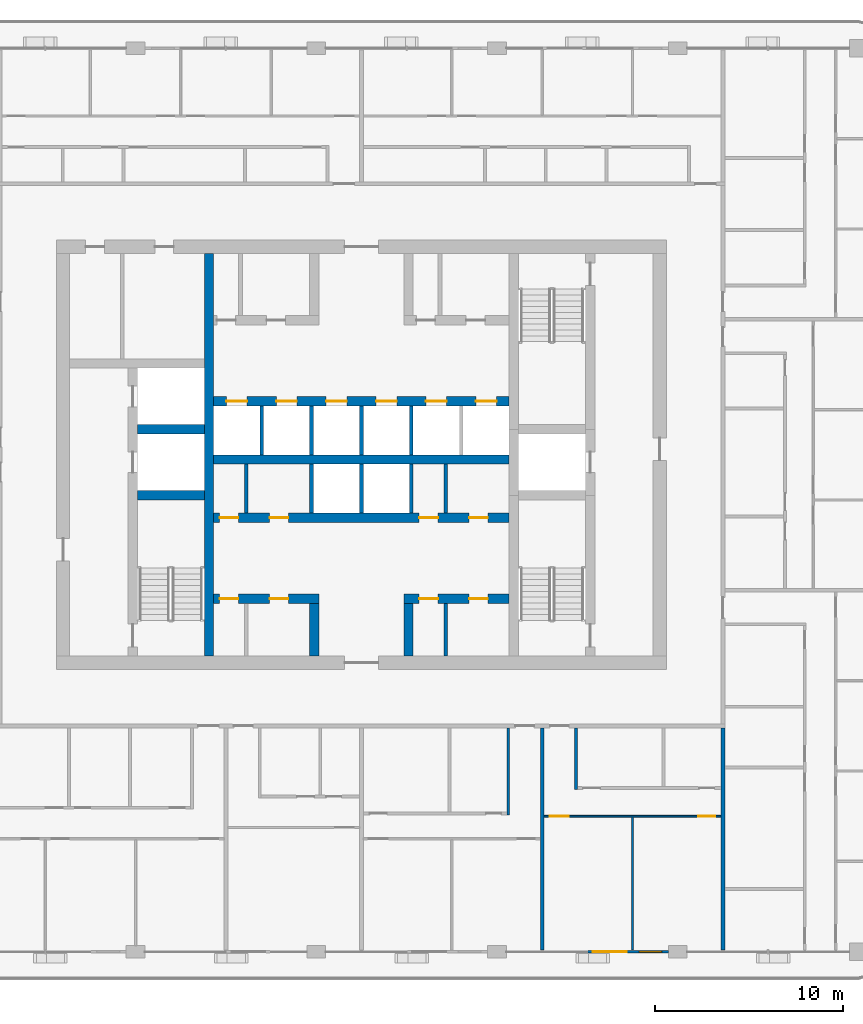
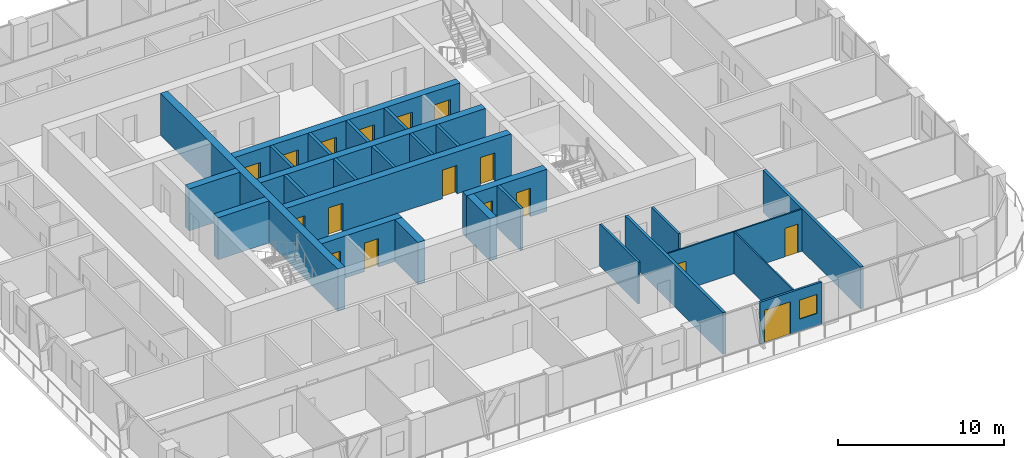
# One storey, part 11 of 22: 27 walls, 17 doors, 1 window, 18 openings.
"""IFC4 building model written with IfcOpenShell, lengths in metres."""

import ifcopenshell
import ifcopenshell.guid

model = None  # the IFC model being written
_history = None  # IfcOwnerHistory: only IFC2X3 demands one
_inside = {}  # id of a spatial element -> (the spatial element, [elements in it])
_under = {}  # id of a project, library or spatial element -> (it, [spatial elements below it])
_declared = {}  # id of a project -> (the project, [libraries it declares])
_typed = {}  # id of a type object -> (the type object, [elements of that type])
_made_of = {}  # id of a material, layer set ... -> (it, [elements and type objects made of it])


def new_model(schema):
    """Start an empty IFC model of exactly this schema.

    Asked for "IFC4X3", IfcOpenShell would pick the latest addendum, in which some entities
    have other attributes; the version numbers below select the first issue.
    IFC2X3 requires an IfcOwnerHistory on every rooted entity: one is made here for all.
    """
    global model, _history
    if schema == "IFC4X3":
        model = ifcopenshell.file(schema_version=(4, 3, 0, 0))
    else:
        model = ifcopenshell.file(schema=schema)
    _inside.clear()
    _under.clear()
    _declared.clear()
    _typed.clear()
    _made_of.clear()
    _history = None
    if model.schema == "IFC2X3":
        org = make("IfcOrganization", Name="unknown")
        user = make(
            "IfcPersonAndOrganization",
            ThePerson=make("IfcPerson", FamilyName="unknown"),
            TheOrganization=org,
        )
        app = make(
            "IfcApplication",
            ApplicationDeveloper=org,
            Version="unknown",
            ApplicationFullName="unknown",
            ApplicationIdentifier="unknown",
        )
        _history = make(
            "IfcOwnerHistory",
            OwningUser=user,
            OwningApplication=app,
            ChangeAction="ADDED",
            CreationDate=0,
        )
    return model


def make(cls, **values):
    """One entity of the class cls with the attributes given. An attribute that is None is left unset."""
    return model.create_entity(
        cls, **{name: value for name, value in values.items() if value is not None}
    )


def rooted(cls, **values):
    """An entity with a GlobalId (a new one), such as an element, a storey or a relation."""
    return make(cls, GlobalId=ifcopenshell.guid.new(), OwnerHistory=_history, **values)


def si_unit(unit_type, name, prefix=None):
    """IfcSIUnit, for example si_unit("LENGTHUNIT", "METRE", prefix="MILLI")."""
    return make("IfcSIUnit", UnitType=unit_type, Prefix=prefix, Name=name)


def assignment(units):
    """IfcUnitAssignment: the units of a project."""
    return None if units is None else make("IfcUnitAssignment", Units=units)


def point(xyz):
    """IfcCartesianPoint."""
    return None if xyz is None else make("IfcCartesianPoint", Coordinates=xyz)


def direction(xyz):
    """IfcDirection."""
    return None if xyz is None else make("IfcDirection", DirectionRatios=xyz)


def frame(location, z_axis=None, x_axis=None):
    """IfcAxis2Placement3D, a coordinate frame: its origin and axes. An axis left out is left unset."""
    return make(
        "IfcAxis2Placement3D",
        Location=point(location),
        Axis=direction(z_axis),
        RefDirection=direction(x_axis),
    )


def frame_2d(location, x_axis=None):
    """IfcAxis2Placement2D, a coordinate frame in the plane: its origin and x axis."""
    return make(
        "IfcAxis2Placement2D", Location=point(location), RefDirection=direction(x_axis)
    )


def origin():
    """The frame at (0, 0, 0) with its axes left unset."""
    return frame((0.0, 0.0, 0.0))


def place(relative_to, where):
    """IfcLocalPlacement: puts the frame where relative to a parent placement (None: the world)."""
    return make(
        "IfcLocalPlacement", PlacementRelTo=relative_to, RelativePlacement=where
    )


def context(
    kind, dimensions, precision=None, world=None, true_north=None, identifier=None
):
    """IfcGeometricRepresentationContext, for example the 3D "Model" context."""
    return make(
        "IfcGeometricRepresentationContext",
        ContextIdentifier=identifier,
        ContextType=kind,
        CoordinateSpaceDimension=dimensions,
        Precision=precision,
        WorldCoordinateSystem=world,
        TrueNorth=true_north,
    )


def subcontext(parent, identifier, kind, view, scale=None):
    """IfcGeometricRepresentationSubContext, for example "Body" below "Model"."""
    return make(
        "IfcGeometricRepresentationSubContext",
        ContextIdentifier=identifier,
        ContextType=kind,
        ParentContext=parent,
        TargetScale=scale,
        TargetView=view,
    )


def project(units=None, contexts=None):
    """IfcProject with its units and contexts."""
    return rooted(
        "IfcProject",
        Name="project",
        RepresentationContexts=contexts,
        UnitsInContext=assignment(units),
    )


def spatial(cls, under=None, at=None, **own):
    """A site, building, storey or space (cls), placed at a placement, below another one or the project."""
    s = rooted(cls, ObjectPlacement=at, **own)
    if under is not None:
        _under.setdefault(under.id(), (under, []))[1].append(s)
    return s


def profile(cls, at=None, kind="AREA", **sizes):
    """A parametric profile (cls). Its sizes go by their IFC names, for example OverallWidth=200.0."""
    return make(cls, ProfileType=kind, Position=at, **sizes)


def rectangle(**sizes):
    """IfcRectangleProfileDef."""
    return profile("IfcRectangleProfileDef", **sizes)


def extrude(swept, where, along, depth):
    """IfcExtrudedAreaSolid: the profile swept, set in the frame where, extruded along a direction by depth."""
    return make(
        "IfcExtrudedAreaSolid",
        SweptArea=swept,
        Position=where,
        ExtrudedDirection=direction(along),
        Depth=depth,
    )


def shape(context_of_items, identifier, shape_type, items):
    """IfcShapeRepresentation: the items that make up one representation, for example the "Body"."""
    return make(
        "IfcShapeRepresentation",
        ContextOfItems=context_of_items,
        RepresentationIdentifier=identifier,
        RepresentationType=shape_type,
        Items=items,
    )


def material(Name=None, Category=None):
    """IfcMaterial."""
    return make("IfcMaterial", Name=Name, Category=Category)


def layer(
    of_material, thickness, ventilated=None, Name=None, Category=None, Priority=None
):
    """IfcMaterialLayer: one layer of a wall or slab, of a material (None: an air gap)."""
    return make(
        "IfcMaterialLayer",
        Material=of_material,
        LayerThickness=thickness,
        IsVentilated=ventilated,
        Name=Name,
        Category=Category,
        Priority=Priority,
    )


def layer_set(layers, Name=None):
    """IfcMaterialLayerSet."""
    return make("IfcMaterialLayerSet", MaterialLayers=layers, LayerSetName=Name)


def made_of(thing, what):
    """Note that an element or type object is made of a material, layer set ...; save() writes the relation."""
    if what is not None:
        _made_of.setdefault(what.id(), (what, []))[1].append(thing)
    return thing


def type_object(cls, material=None, **own):
    """A type object (cls), such as IfcWallType, which elements share."""
    return made_of(rooted(cls, **own), material)


def element(
    cls,
    number,
    at=None,
    inside=None,
    cuts=None,
    type_object=None,
    material=None,
    context=None,
    identifier="Body",
    shape_type=None,
    held_by="IfcProductDefinitionShape",
    body=None,
    shapes=None,
    **own,
):
    """One element of the class cls, such as IfcWall. Its Tag is "e" and its number.

    at: its placement. inside: the storey or other place that contains it. cuts: it is an
    opening in that element (IfcRelVoidsElement). A single representation is given by context,
    identifier, shape_type and body (its items); several are given by shapes. held_by: the class
    of the entity that holds the representations. save() writes the other relations.
    """
    e = rooted(cls, Tag="e%d" % number, ObjectPlacement=at, **own)
    if body is not None:
        shapes = [shape(context, identifier, shape_type, body)]
    if shapes is not None:
        e.Representation = make(held_by, Representations=shapes)
    if inside is not None:
        _inside.setdefault(inside.id(), (inside, []))[1].append(e)
    if cuts is not None:
        rooted(
            "IfcRelVoidsElement", RelatingBuildingElement=cuts, RelatedOpeningElement=e
        )
    if type_object is not None:
        _typed.setdefault(type_object.id(), (type_object, []))[1].append(e)
    return made_of(e, material)


def fill(opening, filler):
    """IfcRelFillsElement: the door or window that sits in an opening."""
    return rooted(
        "IfcRelFillsElement",
        RelatingOpeningElement=opening,
        RelatedBuildingElement=filler,
    )


def aggregate(whole, parts):
    """IfcRelAggregates: a whole, such as a stair, and the parts it consists of."""
    return rooted("IfcRelAggregates", RelatingObject=whole, RelatedObjects=parts)


def save(model, path):
    """Write the relations noted so far, then the file.

    IfcRelAggregates (storeys below a building ...), IfcRelContainedInSpatialStructure (elements
    in a storey), IfcRelDefinesByType, IfcRelAssociatesMaterial and IfcRelDeclares: one each for
    every whole, place, type object, material and project.
    """
    for whole, parts in _under.values():
        aggregate(whole, parts)
    for where, things in _inside.values():
        rooted(
            "IfcRelContainedInSpatialStructure",
            RelatedElements=things,
            RelatingStructure=where,
        )
    for kind, things in _typed.values():
        rooted("IfcRelDefinesByType", RelatedObjects=things, RelatingType=kind)
    for what, things in _made_of.values():
        rooted("IfcRelAssociatesMaterial", RelatedObjects=things, RelatingMaterial=what)
    for by, libraries in _declared.values():
        rooted("IfcRelDeclares", RelatingContext=by, RelatedDefinitions=libraries)
    model.write(path)


model = new_model("IFC4")

# Units and contexts
model_context = context("Model", 3, precision=1e-05, world=origin(), true_north=direction((0.0, 1.0)))
body_context = subcontext(model_context, "Body", "Model", "MODEL_VIEW")
ifc_project = project(units=[si_unit("LENGTHUNIT", "METRE"), si_unit("AREAUNIT", "SQUARE_METRE"), si_unit("VOLUMEUNIT", "CUBIC_METRE"), si_unit("PLANEANGLEUNIT", "RADIAN"), si_unit("MASSUNIT", "GRAM", prefix="KILO")], contexts=[model_context])

# Site, building, storey
site_placement = place(None, origin())
site = spatial("IfcSite", under=ifc_project, at=site_placement, CompositionType="ELEMENT")
building_placement = place(site_placement, origin())
building = spatial("IfcBuilding", under=site, at=building_placement, Name="Madar Terraces", CompositionType="ELEMENT")
storey_placement = place(building_placement, frame((0.0, 0.0, 199.89990234375)))
storey = spatial("IfcBuildingStorey", under=building, at=storey_placement, Name="L52", CompositionType="ELEMENT", Elevation=199.89990234375)

# Walls
ifc_material_1 = material(Name="Concrete C60/75", Category="concrete")
ifc_layer_1 = layer(ifc_material_1, 0.5)
ifc_layer_set_1 = layer_set([ifc_layer_1], Name="Concrete C60/75 (CIW4 RC wall 500)")
wall_type_1 = type_object("IfcWallType", Name="CIW4 RC wall 500", PredefinedType="SHEAR", material=ifc_layer_set_1)
wall_1_placement = place(storey_placement, frame((23.10009765625, 15.699951171875, 0.0), z_axis=(0.0, 0.0, 1.0), x_axis=(0.0, 1.0, 0.0)))
element("IfcWall", 1, at=wall_1_placement, inside=storey, type_object=wall_type_1, Name="CORE SHAFT WALL", PredefinedType="SHEAR", context=body_context, shape_type="SweptSolid", body=[
    extrude(rectangle(XDim=21.400146484375, YDim=0.5, at=frame_2d((10.7001953125, 0.0))), origin(), (0.0, 0.0, 1.0), 3.10009765625),
])
for number, where, z_axis, x_axis, name in (
    (2, (19.300048828125, 24.25, 0.0), (0.0, 0.0, 1.0), (1.0, 0.0, 0.0), "CORE SHAFT WALL"),
    (3, (19.300048828125, 27.75, 0.0), (0.0, 0.0, 1.0), (1.0, 0.0, 0.0), "CORE SHAFT WALL"),
):
    element("IfcWall", number, at=place(storey_placement, frame(where, z_axis=z_axis, x_axis=x_axis)), inside=storey, type_object=wall_type_1, Name=name, PredefinedType="SHEAR", context=body_context, shape_type="SweptSolid", body=[
        extrude(rectangle(XDim=3.550048828125, YDim=0.5, at=frame_2d((1.77490234375, 0.0))), origin(), (0.0, 0.0, 1.0), 3.10009765625),
    ])

# Wall, openings, doors
wall_2_placement = place(storey_placement, frame((23.35009765625, 18.75, 0.0), z_axis=(0.0, 0.0, 1.0), x_axis=(1.0, 0.0, 0.0)))
wall_2 = element("IfcWall", 4, at=wall_2_placement, inside=storey, type_object=wall_type_1, Name="CORE SHAFT WALL", PredefinedType="SHEAR", context=body_context, shape_type="SweptSolid", body=[
    extrude(rectangle(XDim=5.599853515625, YDim=0.5, at=frame_2d((2.7998046875, 0.0))), origin(), (0.0, 0.0, 1.0), 3.10009765625),
])
opening_1_placement = place(wall_2_placement, frame((0.31689453125, 0.0, 0.0)))
opening_1 = element("IfcOpeningElement", 5, at=opening_1_placement, cuts=wall_2, Name="Opening KD2", PredefinedType="OPENING", context=body_context, shape_type="SweptSolid", body=[
    extrude(rectangle(XDim=1.0, YDim=2.10009765625, at=frame_2d((0.5, 1.050048828125))), frame((0.0, 0.260009765625, 0.0), z_axis=(0.0, -1.0, 0.0), x_axis=(1.0, 0.0, 0.0)), (0.0, 0.0, 1.0), 0.52001953125),
])
opening_2_placement = place(wall_2_placement, frame((2.967041015625, 0.0, 0.0)))
opening_2 = element("IfcOpeningElement", 6, at=opening_2_placement, cuts=wall_2, Name="Opening KD2", PredefinedType="OPENING", context=body_context, shape_type="SweptSolid", body=[
    extrude(rectangle(XDim=1.0, YDim=2.10009765625, at=frame_2d((0.5, 1.050048828125))), frame((0.0, 0.260009765625, 0.0), z_axis=(0.0, -1.0, 0.0), x_axis=(1.0, 0.0, 0.0)), (0.0, 0.0, 1.0), 0.52001953125),
])
ifc_material_2 = material(Name="Steel door leaf", Category="steel")
door_type_1 = type_object("IfcDoorType", Name="Service room door 1000 x 2100", OperationType="NOTDEFINED", PredefinedType="DOOR", material=ifc_material_2)
door_1_placement = place(opening_1_placement, origin())
door_1 = element("IfcDoor", 7, at=door_1_placement, inside=storey, type_object=door_type_1, Name="SERVICE ROOM DOOR", OperationType="SINGLE_SWING_LEFT", OverallHeight=2.10009765625, OverallWidth=1.0, PredefinedType="DOOR", context=body_context, shape_type="SweptSolid", body=[
    extrude(rectangle(XDim=1.0, YDim=2.10009765625, at=frame_2d((0.5, 1.050048828125))), frame((0.0, 0.02490234375, 0.0), z_axis=(0.0, -1.0, 0.0), x_axis=(1.0, 0.0, 0.0)), (0.0, 0.0, 1.0), 0.050048828125),
])
fill(opening_1, door_1)
door_2_placement = place(opening_2_placement, origin())
door_2 = element("IfcDoor", 8, at=door_2_placement, inside=storey, type_object=door_type_1, Name="SERVICE ROOM DOOR", OperationType="SINGLE_SWING_RIGHT", OverallHeight=2.10009765625, OverallWidth=1.0, PredefinedType="DOOR", context=body_context, shape_type="SweptSolid", body=[
    extrude(rectangle(XDim=1.0, YDim=2.10009765625, at=frame_2d((0.5, 1.050048828125))), frame((0.0, 0.02490234375, 0.0), z_axis=(0.0, -1.0, 0.0), x_axis=(1.0, 0.0, 0.0)), (0.0, 0.0, 1.0), 0.050048828125),
])
fill(opening_2, door_2)

wall_3_placement = place(storey_placement, frame((33.449951171875, 18.75, 0.0), z_axis=(0.0, 0.0, 1.0), x_axis=(1.0, 0.0, 0.0)))
wall_3 = element("IfcWall", 9, at=wall_3_placement, inside=storey, type_object=wall_type_1, Name="CORE SHAFT WALL", PredefinedType="SHEAR", context=body_context, shape_type="SweptSolid", body=[
    extrude(rectangle(XDim=5.60009765625, YDim=0.5, at=frame_2d((2.800048828125, 0.0))), origin(), (0.0, 0.0, 1.0), 3.10009765625),
])
opening_3_placement = place(wall_3_placement, frame((0.81689453125, 0.0, 0.0)))
opening_3 = element("IfcOpeningElement", 10, at=opening_3_placement, cuts=wall_3, Name="Opening KD2", PredefinedType="OPENING", context=body_context, shape_type="SweptSolid", body=[
    extrude(rectangle(XDim=1.0, YDim=2.10009765625, at=frame_2d((0.5, 1.050048828125))), frame((0.0, 0.260009765625, 0.0), z_axis=(0.0, -1.0, 0.0), x_axis=(1.0, 0.0, 0.0)), (0.0, 0.0, 1.0), 0.52001953125),
])
opening_4_placement = place(wall_3_placement, frame((3.467041015625, 0.0, 0.0)))
opening_4 = element("IfcOpeningElement", 11, at=opening_4_placement, cuts=wall_3, Name="Opening KD2", PredefinedType="OPENING", context=body_context, shape_type="SweptSolid", body=[
    extrude(rectangle(XDim=1.0, YDim=2.10009765625, at=frame_2d((0.5, 1.050048828125))), frame((0.0, 0.260009765625, 0.0), z_axis=(0.0, -1.0, 0.0), x_axis=(1.0, 0.0, 0.0)), (0.0, 0.0, 1.0), 0.52001953125),
])
door_3_placement = place(opening_3_placement, origin())
door_3 = element("IfcDoor", 12, at=door_3_placement, inside=storey, type_object=door_type_1, Name="SERVICE ROOM DOOR", OperationType="SINGLE_SWING_LEFT", OverallHeight=2.10009765625, OverallWidth=1.0, PredefinedType="DOOR", context=body_context, shape_type="SweptSolid", body=[
    extrude(rectangle(XDim=1.0, YDim=2.10009765625, at=frame_2d((0.5, 1.050048828125))), frame((0.0, 0.02490234375, 0.0), z_axis=(0.0, -1.0, 0.0), x_axis=(1.0, 0.0, 0.0)), (0.0, 0.0, 1.0), 0.050048828125),
])
fill(opening_3, door_3)
door_4_placement = place(opening_4_placement, origin())
door_4 = element("IfcDoor", 13, at=door_4_placement, inside=storey, type_object=door_type_1, Name="SERVICE ROOM DOOR", OperationType="SINGLE_SWING_RIGHT", OverallHeight=2.10009765625, OverallWidth=1.0, PredefinedType="DOOR", context=body_context, shape_type="SweptSolid", body=[
    extrude(rectangle(XDim=1.0, YDim=2.10009765625, at=frame_2d((0.5, 1.050048828125))), frame((0.0, 0.02490234375, 0.0), z_axis=(0.0, -1.0, 0.0), x_axis=(1.0, 0.0, 0.0)), (0.0, 0.0, 1.0), 0.050048828125),
])
fill(opening_4, door_4)

wall_4_placement = place(storey_placement, frame((23.35009765625, 23.050048828125, 0.0), z_axis=(0.0, 0.0, 1.0), x_axis=(1.0, 0.0, 0.0)))
wall_4 = element("IfcWall", 14, at=wall_4_placement, inside=storey, type_object=wall_type_1, Name="CORE SHAFT WALL", PredefinedType="SHEAR", context=body_context, shape_type="SweptSolid", body=[
    extrude(rectangle(XDim=15.699951171875, YDim=0.5, at=frame_2d((7.85009765625, 0.0))), origin(), (0.0, 0.0, 1.0), 3.10009765625),
])
opening_5_placement = place(wall_4_placement, frame((0.31689453125, 0.0, 0.0)))
opening_5 = element("IfcOpeningElement", 15, at=opening_5_placement, cuts=wall_4, Name="Opening KD2", PredefinedType="OPENING", context=body_context, shape_type="SweptSolid", body=[
    extrude(rectangle(XDim=1.0, YDim=2.10009765625, at=frame_2d((0.5, 1.050048828125))), frame((0.0, 0.260009765625, 0.0), z_axis=(0.0, -1.0, 0.0), x_axis=(1.0, 0.0, 0.0)), (0.0, 0.0, 1.0), 0.52001953125),
])
opening_6_placement = place(wall_4_placement, frame((2.967041015625, 0.0, 0.0)))
opening_6 = element("IfcOpeningElement", 16, at=opening_6_placement, cuts=wall_4, Name="Opening KD2", PredefinedType="OPENING", context=body_context, shape_type="SweptSolid", body=[
    extrude(rectangle(XDim=1.0, YDim=2.10009765625, at=frame_2d((0.5, 1.050048828125))), frame((0.0, 0.260009765625, 0.0), z_axis=(0.0, -1.0, 0.0), x_axis=(1.0, 0.0, 0.0)), (0.0, 0.0, 1.0), 0.52001953125),
])
opening_7_placement = place(wall_4_placement, frame((10.9169921875, 0.0, 0.0)))
opening_7 = element("IfcOpeningElement", 17, at=opening_7_placement, cuts=wall_4, Name="Opening KD2", PredefinedType="OPENING", context=body_context, shape_type="SweptSolid", body=[
    extrude(rectangle(XDim=1.0, YDim=2.10009765625, at=frame_2d((0.5, 1.050048828125))), frame((0.0, 0.260009765625, 0.0), z_axis=(0.0, -1.0, 0.0), x_axis=(1.0, 0.0, 0.0)), (0.0, 0.0, 1.0), 0.52001953125),
])
opening_8_placement = place(wall_4_placement, frame((13.56689453125, 0.0, 0.0)))
opening_8 = element("IfcOpeningElement", 18, at=opening_8_placement, cuts=wall_4, Name="Opening KD2", PredefinedType="OPENING", context=body_context, shape_type="SweptSolid", body=[
    extrude(rectangle(XDim=1.0, YDim=2.10009765625, at=frame_2d((0.5, 1.050048828125))), frame((0.0, 0.260009765625, 0.0), z_axis=(0.0, -1.0, 0.0), x_axis=(1.0, 0.0, 0.0)), (0.0, 0.0, 1.0), 0.52001953125),
])
door_5_placement = place(opening_5_placement, frame((1.0, 0.0, 0.0), z_axis=(0.0, 0.0, 1.0), x_axis=(-1.0, 0.0, 0.0)))
door_5 = element("IfcDoor", 19, at=door_5_placement, inside=storey, type_object=door_type_1, Name="SERVICE ROOM DOOR", OperationType="SINGLE_SWING_LEFT", OverallHeight=2.10009765625, OverallWidth=1.0, PredefinedType="DOOR", context=body_context, shape_type="SweptSolid", body=[
    extrude(rectangle(XDim=1.0, YDim=2.10009765625, at=frame_2d((0.5, 1.050048828125))), frame((0.0, 0.02490234375, 0.0), z_axis=(0.0, -1.0, 0.0), x_axis=(1.0, 0.0, 0.0)), (0.0, 0.0, 1.0), 0.050048828125),
])
fill(opening_5, door_5)
door_6_placement = place(opening_6_placement, frame((1.0, 0.0, 0.0), z_axis=(0.0, 0.0, 1.0), x_axis=(-1.0, 0.0, 0.0)))
door_6 = element("IfcDoor", 20, at=door_6_placement, inside=storey, type_object=door_type_1, Name="SERVICE ROOM DOOR", OperationType="SINGLE_SWING_RIGHT", OverallHeight=2.10009765625, OverallWidth=1.0, PredefinedType="DOOR", context=body_context, shape_type="SweptSolid", body=[
    extrude(rectangle(XDim=1.0, YDim=2.10009765625, at=frame_2d((0.5, 1.050048828125))), frame((0.0, 0.02490234375, 0.0), z_axis=(0.0, -1.0, 0.0), x_axis=(1.0, 0.0, 0.0)), (0.0, 0.0, 1.0), 0.050048828125),
])
fill(opening_6, door_6)
door_7_placement = place(opening_7_placement, frame((1.0, 0.0, 0.0), z_axis=(0.0, 0.0, 1.0), x_axis=(-1.0, 0.0, 0.0)))
door_7 = element("IfcDoor", 21, at=door_7_placement, inside=storey, type_object=door_type_1, Name="SERVICE ROOM DOOR", OperationType="SINGLE_SWING_LEFT", OverallHeight=2.10009765625, OverallWidth=1.0, PredefinedType="DOOR", context=body_context, shape_type="SweptSolid", body=[
    extrude(rectangle(XDim=1.0, YDim=2.10009765625, at=frame_2d((0.5, 1.050048828125))), frame((0.0, 0.02490234375, 0.0), z_axis=(0.0, -1.0, 0.0), x_axis=(1.0, 0.0, 0.0)), (0.0, 0.0, 1.0), 0.050048828125),
])
fill(opening_7, door_7)
door_8_placement = place(opening_8_placement, frame((1.0, 0.0, 0.0), z_axis=(0.0, 0.0, 1.0), x_axis=(-1.0, 0.0, 0.0)))
door_8 = element("IfcDoor", 22, at=door_8_placement, inside=storey, type_object=door_type_1, Name="SERVICE ROOM DOOR", OperationType="SINGLE_SWING_RIGHT", OverallHeight=2.10009765625, OverallWidth=1.0, PredefinedType="DOOR", context=body_context, shape_type="SweptSolid", body=[
    extrude(rectangle(XDim=1.0, YDim=2.10009765625, at=frame_2d((0.5, 1.050048828125))), frame((0.0, 0.02490234375, 0.0), z_axis=(0.0, -1.0, 0.0), x_axis=(1.0, 0.0, 0.0)), (0.0, 0.0, 1.0), 0.050048828125),
])
fill(opening_8, door_8)

# Wall
wall_5_placement = place(storey_placement, frame((23.35009765625, 26.14990234375, 0.0), z_axis=(0.0, 0.0, 1.0), x_axis=(1.0, 0.0, 0.0)))
element("IfcWall", 23, at=wall_5_placement, inside=storey, type_object=wall_type_1, Name="CORE SHAFT WALL", PredefinedType="SHEAR", context=body_context, shape_type="SweptSolid", body=[
    extrude(rectangle(XDim=15.699951171875, YDim=0.5, at=frame_2d((7.85009765625, 0.0))), origin(), (0.0, 0.0, 1.0), 3.10009765625),
])

# Wall, openings, doors
wall_6_placement = place(storey_placement, frame((23.35009765625, 29.25, 0.0), z_axis=(0.0, 0.0, 1.0), x_axis=(1.0, 0.0, 0.0)))
wall_6 = element("IfcWall", 24, at=wall_6_placement, inside=storey, type_object=wall_type_1, Name="CORE SHAFT WALL", PredefinedType="SHEAR", context=body_context, shape_type="SweptSolid", body=[
    extrude(rectangle(XDim=15.699951171875, YDim=0.5, at=frame_2d((7.85009765625, 0.0))), origin(), (0.0, 0.0, 1.0), 3.10009765625),
])
opening_9_placement = place(wall_6_placement, frame((0.675048828125, 0.0, 0.0)))
opening_9 = element("IfcOpeningElement", 25, at=opening_9_placement, cuts=wall_6, Name="Opening LD", PredefinedType="OPENING", context=body_context, shape_type="SweptSolid", body=[
    extrude(rectangle(XDim=1.10009765625, YDim=2.10009765625, at=frame_2d((0.550048828125, 1.050048828125))), frame((0.0, 0.260009765625, 0.0), z_axis=(0.0, -1.0, 0.0), x_axis=(1.0, 0.0, 0.0)), (0.0, 0.0, 1.0), 0.52001953125),
])
opening_10_placement = place(wall_6_placement, frame((3.324951171875, 0.0, 0.0)))
opening_10 = element("IfcOpeningElement", 26, at=opening_10_placement, cuts=wall_6, Name="Opening LD", PredefinedType="OPENING", context=body_context, shape_type="SweptSolid", body=[
    extrude(rectangle(XDim=1.10009765625, YDim=2.10009765625, at=frame_2d((0.550048828125, 1.050048828125))), frame((0.0, 0.260009765625, 0.0), z_axis=(0.0, -1.0, 0.0), x_axis=(1.0, 0.0, 0.0)), (0.0, 0.0, 1.0), 0.52001953125),
])
opening_11_placement = place(wall_6_placement, frame((5.97509765625, 0.0, 0.0)))
opening_11 = element("IfcOpeningElement", 27, at=opening_11_placement, cuts=wall_6, Name="Opening LD", PredefinedType="OPENING", context=body_context, shape_type="SweptSolid", body=[
    extrude(rectangle(XDim=1.10009765625, YDim=2.10009765625, at=frame_2d((0.550048828125, 1.050048828125))), frame((0.0, 0.260009765625, 0.0), z_axis=(0.0, -1.0, 0.0), x_axis=(1.0, 0.0, 0.0)), (0.0, 0.0, 1.0), 0.52001953125),
])
opening_12_placement = place(wall_6_placement, frame((8.625, 0.0, 0.0)))
opening_12 = element("IfcOpeningElement", 28, at=opening_12_placement, cuts=wall_6, Name="Opening LD", PredefinedType="OPENING", context=body_context, shape_type="SweptSolid", body=[
    extrude(rectangle(XDim=1.10009765625, YDim=2.10009765625, at=frame_2d((0.550048828125, 1.050048828125))), frame((0.0, 0.260009765625, 0.0), z_axis=(0.0, -1.0, 0.0), x_axis=(1.0, 0.0, 0.0)), (0.0, 0.0, 1.0), 0.52001953125),
])
opening_13_placement = place(wall_6_placement, frame((11.27490234375, 0.0, 0.0)))
opening_13 = element("IfcOpeningElement", 29, at=opening_13_placement, cuts=wall_6, Name="Opening LD", PredefinedType="OPENING", context=body_context, shape_type="SweptSolid", body=[
    extrude(rectangle(XDim=1.10009765625, YDim=2.10009765625, at=frame_2d((0.550048828125, 1.050048828125))), frame((0.0, 0.260009765625, 0.0), z_axis=(0.0, -1.0, 0.0), x_axis=(1.0, 0.0, 0.0)), (0.0, 0.0, 1.0), 0.52001953125),
])
opening_14_placement = place(wall_6_placement, frame((13.925048828125, 0.0, 0.0)))
opening_14 = element("IfcOpeningElement", 30, at=opening_14_placement, cuts=wall_6, Name="Opening LD", PredefinedType="OPENING", context=body_context, shape_type="SweptSolid", body=[
    extrude(rectangle(XDim=1.10009765625, YDim=2.10009765625, at=frame_2d((0.550048828125, 1.050048828125))), frame((0.0, 0.260009765625, 0.0), z_axis=(0.0, -1.0, 0.0), x_axis=(1.0, 0.0, 0.0)), (0.0, 0.0, 1.0), 0.52001953125),
])
ifc_material_3 = material(Name="Stainless steel panel", Category="steel")
door_type_2 = type_object("IfcDoorType", Name="Lift landing door 1100 x 2100", OperationType="DOUBLE_DOOR_SLIDING", PredefinedType="DOOR", material=ifc_material_3)
door_9_placement = place(opening_9_placement, origin())
door_9 = element("IfcDoor", 31, at=door_9_placement, inside=storey, type_object=door_type_2, Name="LIFT LANDING DOOR", OperationType="DOUBLE_DOOR_SLIDING", OverallHeight=2.10009765625, OverallWidth=1.10009765625, PredefinedType="DOOR", context=body_context, shape_type="SweptSolid", body=[
    extrude(rectangle(XDim=1.10009765625, YDim=2.10009765625, at=frame_2d((0.550048828125, 1.050048828125))), frame((0.0, 0.02490234375, 0.0), z_axis=(0.0, -1.0, 0.0), x_axis=(1.0, 0.0, 0.0)), (0.0, 0.0, 1.0), 0.050048828125),
])
fill(opening_9, door_9)
door_10_placement = place(opening_10_placement, origin())
door_10 = element("IfcDoor", 32, at=door_10_placement, inside=storey, type_object=door_type_2, Name="LIFT LANDING DOOR", OperationType="DOUBLE_DOOR_SLIDING", OverallHeight=2.10009765625, OverallWidth=1.10009765625, PredefinedType="DOOR", context=body_context, shape_type="SweptSolid", body=[
    extrude(rectangle(XDim=1.10009765625, YDim=2.10009765625, at=frame_2d((0.550048828125, 1.050048828125))), frame((0.0, 0.02490234375, 0.0), z_axis=(0.0, -1.0, 0.0), x_axis=(1.0, 0.0, 0.0)), (0.0, 0.0, 1.0), 0.050048828125),
])
fill(opening_10, door_10)
door_11_placement = place(opening_11_placement, origin())
door_11 = element("IfcDoor", 33, at=door_11_placement, inside=storey, type_object=door_type_2, Name="LIFT LANDING DOOR", OperationType="DOUBLE_DOOR_SLIDING", OverallHeight=2.10009765625, OverallWidth=1.10009765625, PredefinedType="DOOR", context=body_context, shape_type="SweptSolid", body=[
    extrude(rectangle(XDim=1.10009765625, YDim=2.10009765625, at=frame_2d((0.550048828125, 1.050048828125))), frame((0.0, 0.02490234375, 0.0), z_axis=(0.0, -1.0, 0.0), x_axis=(1.0, 0.0, 0.0)), (0.0, 0.0, 1.0), 0.050048828125),
])
fill(opening_11, door_11)
door_12_placement = place(opening_12_placement, origin())
door_12 = element("IfcDoor", 34, at=door_12_placement, inside=storey, type_object=door_type_2, Name="LIFT LANDING DOOR", OperationType="DOUBLE_DOOR_SLIDING", OverallHeight=2.10009765625, OverallWidth=1.10009765625, PredefinedType="DOOR", context=body_context, shape_type="SweptSolid", body=[
    extrude(rectangle(XDim=1.10009765625, YDim=2.10009765625, at=frame_2d((0.550048828125, 1.050048828125))), frame((0.0, 0.02490234375, 0.0), z_axis=(0.0, -1.0, 0.0), x_axis=(1.0, 0.0, 0.0)), (0.0, 0.0, 1.0), 0.050048828125),
])
fill(opening_12, door_12)
door_13_placement = place(opening_13_placement, origin())
door_13 = element("IfcDoor", 35, at=door_13_placement, inside=storey, type_object=door_type_2, Name="LIFT LANDING DOOR", OperationType="DOUBLE_DOOR_SLIDING", OverallHeight=2.10009765625, OverallWidth=1.10009765625, PredefinedType="DOOR", context=body_context, shape_type="SweptSolid", body=[
    extrude(rectangle(XDim=1.10009765625, YDim=2.10009765625, at=frame_2d((0.550048828125, 1.050048828125))), frame((0.0, 0.02490234375, 0.0), z_axis=(0.0, -1.0, 0.0), x_axis=(1.0, 0.0, 0.0)), (0.0, 0.0, 1.0), 0.050048828125),
])
fill(opening_13, door_13)
door_14_placement = place(opening_14_placement, origin())
door_14 = element("IfcDoor", 36, at=door_14_placement, inside=storey, type_object=door_type_2, Name="LIFT LANDING DOOR", OperationType="DOUBLE_DOOR_SLIDING", OverallHeight=2.10009765625, OverallWidth=1.10009765625, PredefinedType="DOOR", context=body_context, shape_type="SweptSolid", body=[
    extrude(rectangle(XDim=1.10009765625, YDim=2.10009765625, at=frame_2d((0.550048828125, 1.050048828125))), frame((0.0, 0.02490234375, 0.0), z_axis=(0.0, -1.0, 0.0), x_axis=(1.0, 0.0, 0.0)), (0.0, 0.0, 1.0), 0.050048828125),
])
fill(opening_14, door_14)

# Walls
for number, where, z_axis, x_axis, name in (
    (37, (28.699951171875, 15.699951171875, 0.0), (0.0, 0.0, 1.0), (0.0, 1.0, 0.0), "CORE SHAFT WALL"),
    (38, (33.699951171875, 15.699951171875, 0.0), (0.0, 0.0, 1.0), (0.0, 1.0, 0.0), "CORE SHAFT WALL"),
):
    element("IfcWall", number, at=place(storey_placement, frame(where, z_axis=z_axis, x_axis=x_axis)), inside=storey, type_object=wall_type_1, Name=name, PredefinedType="SHEAR", context=body_context, shape_type="SweptSolid", body=[
        extrude(rectangle(XDim=2.800048828125, YDim=0.5, at=frame_2d((1.39990234375, 0.0))), origin(), (0.0, 0.0, 1.0), 3.10009765625),
    ])
ifc_material_4 = material(Name="Masonry blockwork", Category="masonry")
ifc_layer_2 = layer(ifc_material_4, 0.199951171875)
ifc_layer_set_2 = layer_set([ifc_layer_2], Name="Core partition 200 blockwork")
wall_type_2 = type_object("IfcWallType", Name="Core partition 200 blockwork", PredefinedType="PARTITIONING", material=ifc_layer_set_2)
for number, where, z_axis, x_axis, name in (
    (39, (25.083984375, 23.300048828125, 0.0), (0.0, 0.0, 1.0), (0.0, 1.0, 0.0), "SERVICE ROOM PARTITION"),
    (40, (35.68408203125, 23.300048828125, 0.0), (0.0, 0.0, 1.0), (0.0, 1.0, 0.0), "SERVICE ROOM PARTITION"),
):
    element("IfcWall", number, at=place(storey_placement, frame(where, z_axis=z_axis, x_axis=x_axis)), inside=storey, type_object=wall_type_2, Name=name, PredefinedType="PARTITIONING", context=body_context, shape_type="SweptSolid", body=[
        extrude(rectangle(XDim=2.599853515625, YDim=0.199951171875, at=frame_2d((1.2998046875, 0.0))), origin(), (0.0, 0.0, 1.0), 3.10009765625),
    ])
wall_7_placement = place(storey_placement, frame((35.68408203125, 15.699951171875, 0.0), z_axis=(0.0, 0.0, 1.0), x_axis=(0.0, 1.0, 0.0)))
element("IfcWall", 41, at=wall_7_placement, inside=storey, type_object=wall_type_2, Name="SERVICE ROOM PARTITION", PredefinedType="PARTITIONING", context=body_context, shape_type="SweptSolid", body=[
    extrude(rectangle(XDim=2.800048828125, YDim=0.199951171875, at=frame_2d((1.39990234375, 0.0))), origin(), (0.0, 0.0, 1.0), 3.10009765625),
])
ifc_material_5 = material(Name="Concrete C40/50", Category="concrete")
ifc_layer_3 = layer(ifc_material_5, 0.199951171875)
ifc_layer_set_3 = layer_set([ifc_layer_3], Name="Core shaft dividing wall 200 C40/50")
wall_type_3 = type_object("IfcWallType", Name="Core shaft dividing wall 200 C40/50", PredefinedType="SOLIDWALL", material=ifc_layer_set_3)
wall_8_placement = place(storey_placement, frame((25.89990234375, 26.39990234375, 0.0), z_axis=(0.0, 0.0, 1.0), x_axis=(0.0, 1.0, 0.0)))
element("IfcWall", 42, at=wall_8_placement, inside=storey, type_object=wall_type_3, Name="SHAFT DIVIDING WALL", PredefinedType="SOLIDWALL", context=body_context, shape_type="SweptSolid", body=[
    extrude(rectangle(XDim=2.60009765625, YDim=0.199951171875, at=frame_2d((1.300048828125, 0.0))), origin(), (0.0, 0.0, 1.0), 3.10009765625),
])
wall_9_placement = place(storey_placement, frame((28.550048828125, 23.300048828125, 0.0), z_axis=(0.0, 0.0, 1.0), x_axis=(0.0, 1.0, 0.0)))
element("IfcWall", 43, at=wall_9_placement, inside=storey, type_object=wall_type_3, Name="SHAFT DIVIDING WALL", PredefinedType="SOLIDWALL", context=body_context, shape_type="SweptSolid", body=[
    extrude(rectangle(XDim=2.599853515625, YDim=0.199951171875, at=frame_2d((1.2998046875, 0.0))), origin(), (0.0, 0.0, 1.0), 3.10009765625),
])
wall_10_placement = place(storey_placement, frame((28.550048828125, 26.39990234375, 0.0), z_axis=(0.0, 0.0, 1.0), x_axis=(0.0, 1.0, 0.0)))
element("IfcWall", 44, at=wall_10_placement, inside=storey, type_object=wall_type_3, Name="SHAFT DIVIDING WALL", PredefinedType="SOLIDWALL", context=body_context, shape_type="SweptSolid", body=[
    extrude(rectangle(XDim=2.60009765625, YDim=0.199951171875, at=frame_2d((1.300048828125, 0.0))), origin(), (0.0, 0.0, 1.0), 3.10009765625),
])
wall_11_placement = place(storey_placement, frame((31.199951171875, 23.300048828125, 0.0), z_axis=(0.0, 0.0, 1.0), x_axis=(0.0, 1.0, 0.0)))
element("IfcWall", 45, at=wall_11_placement, inside=storey, type_object=wall_type_3, Name="SHAFT DIVIDING WALL", PredefinedType="SOLIDWALL", context=body_context, shape_type="SweptSolid", body=[
    extrude(rectangle(XDim=2.599853515625, YDim=0.199951171875, at=frame_2d((1.2998046875, 0.0))), origin(), (0.0, 0.0, 1.0), 3.10009765625),
])
wall_12_placement = place(storey_placement, frame((31.199951171875, 26.39990234375, 0.0), z_axis=(0.0, 0.0, 1.0), x_axis=(0.0, 1.0, 0.0)))
element("IfcWall", 46, at=wall_12_placement, inside=storey, type_object=wall_type_3, Name="SHAFT DIVIDING WALL", PredefinedType="SOLIDWALL", context=body_context, shape_type="SweptSolid", body=[
    extrude(rectangle(XDim=2.60009765625, YDim=0.199951171875, at=frame_2d((1.300048828125, 0.0))), origin(), (0.0, 0.0, 1.0), 3.10009765625),
])
wall_13_placement = place(storey_placement, frame((33.85009765625, 23.300048828125, 0.0), z_axis=(0.0, 0.0, 1.0), x_axis=(0.0, 1.0, 0.0)))
element("IfcWall", 47, at=wall_13_placement, inside=storey, type_object=wall_type_3, Name="SHAFT DIVIDING WALL", PredefinedType="SOLIDWALL", context=body_context, shape_type="SweptSolid", body=[
    extrude(rectangle(XDim=2.599853515625, YDim=0.199951171875, at=frame_2d((1.2998046875, 0.0))), origin(), (0.0, 0.0, 1.0), 3.10009765625),
])
wall_14_placement = place(storey_placement, frame((33.85009765625, 26.39990234375, 0.0), z_axis=(0.0, 0.0, 1.0), x_axis=(0.0, 1.0, 0.0)))
element("IfcWall", 48, at=wall_14_placement, inside=storey, type_object=wall_type_3, Name="SHAFT DIVIDING WALL", PredefinedType="SOLIDWALL", context=body_context, shape_type="SweptSolid", body=[
    extrude(rectangle(XDim=2.60009765625, YDim=0.199951171875, at=frame_2d((1.300048828125, 0.0))), origin(), (0.0, 0.0, 1.0), 3.10009765625),
])

# Wall, openings, door, window
ifc_material_6 = material(Name="Aluminium composite panel, black, over insulated backing", Category="aluminium")
ifc_layer_4 = layer(ifc_material_6, 0.14990234375)
ifc_layer_set_4 = layer_set([ifc_layer_4], Name="Facade bay panel 150")
wall_type_4 = type_object("IfcWallType", Name="Facade bay panel 150", PredefinedType="SOLIDWALL", material=ifc_layer_set_4)
wall_15_placement = place(storey_placement, frame((43.199951171875, 0.0, 0.0), z_axis=(0.0, 0.0, 1.0), x_axis=(1.0, 0.0, 0.0)))
wall_15 = element("IfcWall", 49, at=wall_15_placement, inside=storey, type_object=wall_type_4, Name="Facade bay panel", PredefinedType="SOLIDWALL", context=body_context, shape_type="SweptSolid", body=[
    extrude(rectangle(XDim=4.300048828125, YDim=0.14990234375, at=frame_2d((2.14990234375, 0.0))), origin(), (0.0, 0.0, 1.0), 3.10009765625),
])
opening_15_placement = place(wall_15_placement, frame((0.300048828125, 0.0, 0.0)))
opening_15 = element("IfcOpeningElement", 50, at=opening_15_placement, cuts=wall_15, Name="Opening ED1", PredefinedType="OPENING", context=body_context, shape_type="SweptSolid", body=[
    extrude(rectangle(XDim=1.800048828125, YDim=2.39990234375, at=frame_2d((0.89990234375, 1.199951171875))), frame((0.0, 0.0849609375, 0.0), z_axis=(0.0, -1.0, 0.0), x_axis=(1.0, 0.0, 0.0)), (0.0, 0.0, 1.0), 0.169921875),
])
opening_16_placement = place(wall_15_placement, frame((2.75, 0.0, 0.89990234375)))
opening_16 = element("IfcOpeningElement", 51, at=opening_16_placement, cuts=wall_15, Name="Opening W1", PredefinedType="OPENING", context=body_context, shape_type="SweptSolid", body=[
    extrude(rectangle(XDim=1.199951171875, YDim=1.39990234375, at=frame_2d((0.60009765625, 0.699951171875))), frame((0.0, 0.0849609375, 0.0), z_axis=(0.0, -1.0, 0.0), x_axis=(1.0, 0.0, 0.0)), (0.0, 0.0, 1.0), 0.169921875),
])
ifc_material_7 = material(Name="Glass, clear, with black aluminium frame", Category="aluminium")
door_type_3 = type_object("IfcDoorType", Name="Balcony and terrace sliding door 1800 x 2400", OperationType="SLIDING_TO_LEFT", PredefinedType="DOOR", material=ifc_material_7)
door_15_placement = place(opening_15_placement, origin())
door_15 = element("IfcDoor", 52, at=door_15_placement, inside=storey, type_object=door_type_3, Name="Balcony door", OperationType="SLIDING_TO_LEFT", OverallHeight=2.39990234375, OverallWidth=1.800048828125, PredefinedType="DOOR", context=body_context, shape_type="SweptSolid", body=[
    extrude(rectangle(XDim=1.800048828125, YDim=2.39990234375, at=frame_2d((0.89990234375, 1.199951171875))), frame((0.0, 0.02490234375, 0.0), z_axis=(0.0, -1.0, 0.0), x_axis=(1.0, 0.0, 0.0)), (0.0, 0.0, 1.0), 0.050048828125),
])
fill(opening_15, door_15)
ifc_material_8 = material(Name="Glass, clear, with black aluminium frame", Category="aluminium")
window_type = type_object("IfcWindowType", Name="Vent window 1200 x 1400", PartitioningType="SINGLE_PANEL", PredefinedType="WINDOW", material=ifc_material_8)
window_placement = place(opening_16_placement, origin())
window = element("IfcWindow", 53, at=window_placement, inside=storey, type_object=window_type, Name="Operable vent window", OverallHeight=1.39990234375, OverallWidth=1.199951171875, PartitioningType="SINGLE_PANEL", PredefinedType="WINDOW", context=body_context, shape_type="SweptSolid", body=[
    extrude(rectangle(XDim=1.199951171875, YDim=1.39990234375, at=frame_2d((0.60009765625, 0.699951171875))), frame((0.0, 0.030029296875, 0.0), z_axis=(0.0, -1.0, 0.0), x_axis=(1.0, 0.0, 0.0)), (0.0, 0.0, 1.0), 0.06005859375),
])
fill(opening_16, window)

# Wall
ifc_material_9 = material(Name="Gypsum board on steel studs", Category="steel")
ifc_layer_5 = layer(ifc_material_9, 0.10009765625)
ifc_layer_set_5 = layer_set([ifc_layer_5], Name="Flat partition 100")
wall_type_5 = type_object("IfcWallType", Name="Flat partition 100", PredefinedType="PARTITIONING", material=ifc_layer_set_5)
wall_16_placement = place(storey_placement, frame((45.60009765625, 7.14990234375, 0.0), z_axis=(0.0, 0.0, 1.0), x_axis=(0.0, -1.0, 0.0)))
element("IfcWall", 54, at=wall_16_placement, inside=storey, type_object=wall_type_5, Name="Flat partition 100", PredefinedType="PARTITIONING", context=body_context, shape_type="SweptSolid", body=[
    extrude(rectangle(XDim=7.0498046875, YDim=0.10009765625, at=frame_2d((3.52490234375, 0.0))), origin(), (0.0, 0.0, 1.0), 3.10009765625),
])

# Wall, openings, doors
wall_17_placement = place(storey_placement, frame((50.300048828125, 7.199951171875, 0.0), z_axis=(0.0, 0.0, 1.0), x_axis=(-1.0, 0.0, 0.0)))
wall_17 = element("IfcWall", 55, at=wall_17_placement, inside=storey, type_object=wall_type_5, Name="Flat partition 100", PredefinedType="PARTITIONING", context=body_context, shape_type="SweptSolid", body=[
    extrude(rectangle(XDim=9.400146484375, YDim=0.10009765625, at=frame_2d((4.7001953125, 0.0))), origin(), (0.0, 0.0, 1.0), 3.10009765625),
])
opening_17_placement = place(wall_17_placement, frame((8.10009765625, 0.0, 0.0)))
opening_17 = element("IfcOpeningElement", 56, at=opening_17_placement, cuts=wall_17, Name="Opening D3", PredefinedType="OPENING", context=body_context, shape_type="SweptSolid", body=[
    extrude(rectangle(XDim=1.0, YDim=2.10009765625, at=frame_2d((0.5, 1.050048828125))), frame((0.0, 0.06005859375, 0.0), z_axis=(0.0, -1.0, 0.0), x_axis=(1.0, 0.0, 0.0)), (0.0, 0.0, 1.0), 0.1201171875),
])
opening_18_placement = place(wall_17_placement, frame((0.300048828125, 0.0, 0.0)))
opening_18 = element("IfcOpeningElement", 57, at=opening_18_placement, cuts=wall_17, Name="Opening D2", PredefinedType="OPENING", context=body_context, shape_type="SweptSolid", body=[
    extrude(rectangle(XDim=0.89990234375, YDim=2.10009765625, at=frame_2d((0.449951171875, 1.050048828125))), frame((0.0, 0.06005859375, 0.0), z_axis=(0.0, -1.0, 0.0), x_axis=(1.0, 0.0, 0.0)), (0.0, 0.0, 1.0), 0.1201171875),
])
ifc_material_10 = material(Name="Timber door leaf", Category="wood")
door_type_4 = type_object("IfcDoorType", Name="Flat living room door 1000", OperationType="NOTDEFINED", PredefinedType="DOOR", material=ifc_material_10)
door_16_placement = place(opening_17_placement, origin())
door_16 = element("IfcDoor", 58, at=door_16_placement, inside=storey, type_object=door_type_4, Name="Flat living room door 1000", OperationType="SINGLE_SWING_RIGHT", OverallHeight=2.10009765625, OverallWidth=1.0, PredefinedType="DOOR", context=body_context, shape_type="SweptSolid", body=[
    extrude(rectangle(XDim=1.0, YDim=2.10009765625, at=frame_2d((0.5, 1.050048828125))), frame((0.0, 0.02490234375, 0.0), z_axis=(0.0, -1.0, 0.0), x_axis=(1.0, 0.0, 0.0)), (0.0, 0.0, 1.0), 0.050048828125),
])
fill(opening_17, door_16)
ifc_material_11 = material(Name="Timber door leaf", Category="wood")
door_type_5 = type_object("IfcDoorType", Name="Flat room door 900", OperationType="NOTDEFINED", PredefinedType="DOOR", material=ifc_material_11)
door_17_placement = place(opening_18_placement, origin())
door_17 = element("IfcDoor", 59, at=door_17_placement, inside=storey, type_object=door_type_5, Name="Flat room door 900", OperationType="SINGLE_SWING_LEFT", OverallHeight=2.10009765625, OverallWidth=0.89990234375, PredefinedType="DOOR", context=body_context, shape_type="SweptSolid", body=[
    extrude(rectangle(XDim=0.89990234375, YDim=2.10009765625, at=frame_2d((0.449951171875, 1.050048828125))), frame((0.0, 0.02490234375, 0.0), z_axis=(0.0, -1.0, 0.0), x_axis=(1.0, 0.0, 0.0)), (0.0, 0.0, 1.0), 0.050048828125),
])
fill(opening_18, door_17)

# Walls
ifc_material_12 = material(Name="Lightweight blockwork", Category="masonry")
ifc_layer_6 = layer(ifc_material_12, 0.199951171875)
ifc_layer_set_6 = layer_set([ifc_layer_6], Name="Flat party and entrance wall 200")
wall_type_6 = type_object("IfcWallType", Name="Flat party and entrance wall 200", PredefinedType="PARTITIONING", material=ifc_layer_set_6)
for number, where, z_axis, x_axis, name in (
    (60, (40.800048828125, 11.89990234375, 0.0), (0.0, 0.0, 1.0), (0.0, -1.0, 0.0), "Flat party and entrance wall 200"),
    (61, (50.39990234375, 11.89990234375, 0.0), (0.0, 0.0, 1.0), (0.0, -1.0, 0.0), "Flat party and entrance wall 200"),
):
    element("IfcWall", number, at=place(storey_placement, frame(where, z_axis=z_axis, x_axis=x_axis)), inside=storey, type_object=wall_type_6, Name=name, PredefinedType="PARTITIONING", context=body_context, shape_type="SweptSolid", body=[
        extrude(rectangle(XDim=11.7998046875, YDim=0.199951171875, at=frame_2d((5.89990234375, 0.0))), origin(), (0.0, 0.0, 1.0), 3.10009765625),
    ])
ifc_material_13 = material(Name="Lightweight blockwork", Category="masonry")
ifc_layer_7 = layer(ifc_material_13, 0.14990234375)
ifc_layer_set_7 = layer_set([ifc_layer_7], Name="Flat wet-room partition 150")
wall_type_7 = type_object("IfcWallType", Name="Flat wet-room partition 150", PredefinedType="PARTITIONING", material=ifc_layer_set_7)
wall_18_placement = place(storey_placement, frame((39.0, 11.89990234375, 0.0), z_axis=(0.0, 0.0, 1.0), x_axis=(0.0, -1.0, 0.0)))
element("IfcWall", 62, at=wall_18_placement, inside=storey, type_object=wall_type_7, Name="Flat wet-room partition 150", PredefinedType="PARTITIONING", context=body_context, shape_type="SweptSolid", body=[
    extrude(rectangle(XDim=4.625, YDim=0.14990234375, at=frame_2d((2.3125, 0.0))), origin(), (0.0, 0.0, 1.0), 3.10009765625),
])
wall_19_placement = place(storey_placement, frame((42.60009765625, 11.89990234375, 0.0), z_axis=(0.0, 0.0, 1.0), x_axis=(0.0, -1.0, 0.0)))
element("IfcWall", 63, at=wall_19_placement, inside=storey, type_object=wall_type_7, Name="Flat wet-room partition 150", PredefinedType="PARTITIONING", context=body_context, shape_type="SweptSolid", body=[
    extrude(rectangle(XDim=3.27490234375, YDim=0.14990234375, at=frame_2d((1.637451171875, 0.0))), origin(), (0.0, 0.0, 1.0), 3.10009765625),
])

save(model, "model.ifc")
